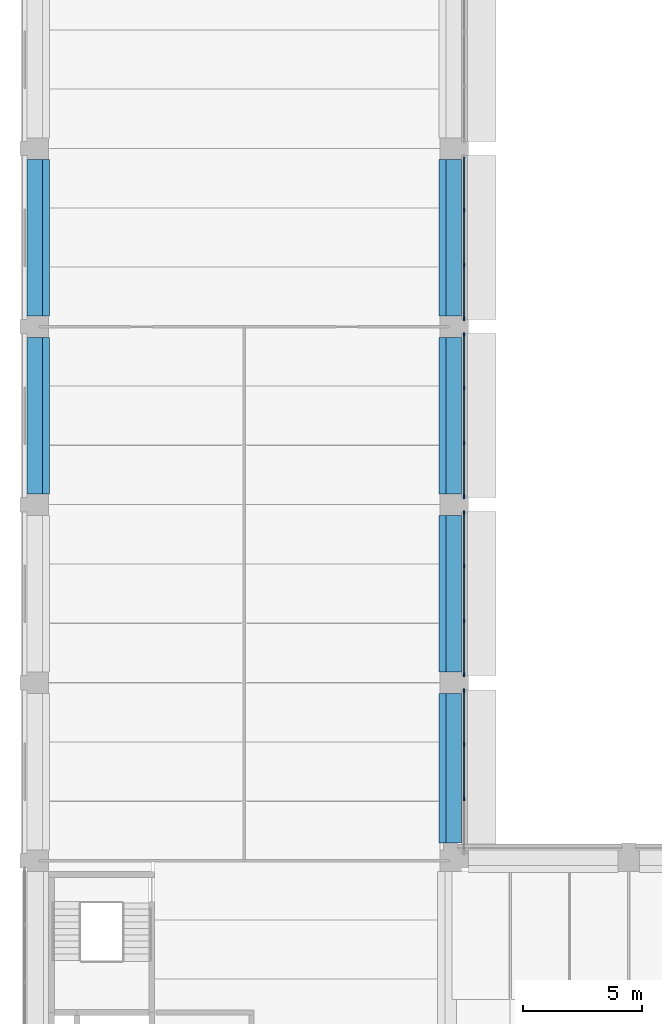
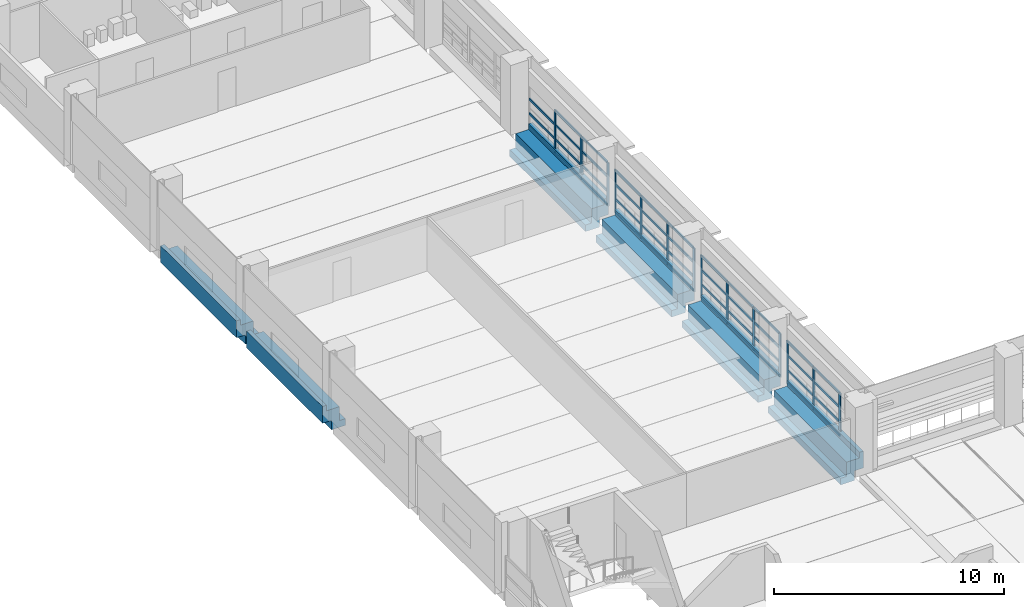
# One storey, part 9 of 57: 57 members, 6 beams, 4 elements without a shape of their own.
"""IFC4 building model written with IfcOpenShell, lengths in metres."""

from ifc_helpers import new_model, si_unit, direction, frame, origin, origin_2d, place, context, subcontext, project, spatial, polyline, rectangle, outline, extrude, material, layer, layer_set, material_profile, profile_set, type_object, element, aggregate, save


model = new_model("IFC4")

# Units and contexts
model_context = context("Model", 3, precision=1e-05, world=origin(), true_north=direction((0.0, 1.0)))
body_context = subcontext(model_context, "Body", "Model", "MODEL_VIEW")
ifc_project = project(units=[si_unit("LENGTHUNIT", "METRE"), si_unit("AREAUNIT", "SQUARE_METRE"), si_unit("VOLUMEUNIT", "CUBIC_METRE"), si_unit("PLANEANGLEUNIT", "RADIAN"), si_unit("MASSUNIT", "GRAM", prefix="KILO")], contexts=[model_context])

# Site, building, storey
site_placement = place(None, origin())
site = spatial("IfcSite", under=ifc_project, at=site_placement, CompositionType="ELEMENT")
building_placement = place(site_placement, origin())
building = spatial("IfcBuilding", under=site, at=building_placement, Name="Cour d'Honneur Mobility Palace", CompositionType="ELEMENT")
storey_placement = place(building_placement, frame((0.0, 0.0, 8.199951171875)))
storey = spatial("IfcBuildingStorey", under=building, at=storey_placement, Name="L02", CompositionType="ELEMENT", Elevation=8.199951171875)

# Curtain wall, members
ifc_material_1 = material(Name="Aluminium and glass", Category="aluminium")
ifc_layer = layer(ifc_material_1, 0.10009765625)
ifc_layer_set = layer_set([ifc_layer], Name="Aluminium and glass")
curtain_wall_type = type_object("IfcCurtainWallType", Name="Curtain wall run", PredefinedType="NOTDEFINED", material=ifc_layer_set)
curtain_wall_1_placement = place(storey_placement, origin())
curtain_wall_1 = element("IfcCurtainWall", 1, at=curtain_wall_1_placement, inside=storey, type_object=curtain_wall_type, Name="Curtain wall CW-23", PredefinedType="NOTDEFINED")
ifc_material_2 = material(Name="Aluminium", Category="aluminium")
ifc_material_profile_1 = material_profile(ifc_material_2, rectangle(XDim=0.06005859375, YDim=0.159912109375, at=origin_2d()), Name="Curtain wall mullion")
ifc_profile_set_1 = profile_set([ifc_material_profile_1], Name="Aluminium")
member_type_1 = type_object("IfcMemberType", Name="Curtain wall mullion", PredefinedType="MULLION", material=ifc_profile_set_1)
member_1_placement = place(storey_placement, frame((17.949951171875, 65.0, 0.0), z_axis=(0.0, 0.0, 1.0), x_axis=(-1.0, 0.0, 0.0)))
member_1 = element("IfcMember", 2, at=member_1_placement, type_object=member_type_1, Name="CW-23 mullion 2", PredefinedType="MULLION", context=body_context, shape_type="SweptSolid", body=[
    extrude(rectangle(XDim=0.06005859375, YDim=0.159912109375, at=origin_2d()), origin(), (0.0, 0.0, 1.0), 2.300048828125),
])
member_2_placement = place(storey_placement, frame((17.949951171875, 67.300048828125, 0.0), z_axis=(0.0, 0.0, 1.0), x_axis=(-1.0, 0.0, 0.0)))
member_2 = element("IfcMember", 3, at=member_2_placement, type_object=member_type_1, Name="CW-23 mullion 3", PredefinedType="MULLION", context=body_context, shape_type="SweptSolid", body=[
    extrude(rectangle(XDim=0.06005859375, YDim=0.159912109375, at=origin_2d()), origin(), (0.0, 0.0, 1.0), 2.300048828125),
])
member_3_placement = place(storey_placement, frame((17.949951171875, 69.570068359375, 0.0), z_axis=(0.0, 0.0, 1.0), x_axis=(-1.0, 0.0, 0.0)))
member_3 = element("IfcMember", 4, at=member_3_placement, type_object=member_type_1, Name="CW-23 mullion 4", PredefinedType="MULLION", context=body_context, shape_type="SweptSolid", body=[
    extrude(rectangle(XDim=0.06005859375, YDim=0.159912109375, at=origin_2d()), origin(), (0.0, 0.0, 1.0), 2.300048828125),
])

curtain_wall_2_placement = place(storey_placement, origin())
curtain_wall_2 = element("IfcCurtainWall", 5, at=curtain_wall_2_placement, inside=storey, type_object=curtain_wall_type, Name="Curtain wall CW-24", PredefinedType="NOTDEFINED")
member_4_placement = place(storey_placement, frame((17.949951171875, 70.22998046875, 0.0), z_axis=(0.0, 0.0, 1.0), x_axis=(-1.0, 0.0, 0.0)))
member_4 = element("IfcMember", 6, at=member_4_placement, type_object=member_type_1, Name="CW-24 mullion 1", PredefinedType="MULLION", context=body_context, shape_type="SweptSolid", body=[
    extrude(rectangle(XDim=0.06005859375, YDim=0.159912109375, at=origin_2d()), origin(), (0.0, 0.0, 1.0), 2.300048828125),
])
member_5_placement = place(storey_placement, frame((17.949951171875, 72.5, 0.0), z_axis=(0.0, 0.0, 1.0), x_axis=(-1.0, 0.0, 0.0)))
member_5 = element("IfcMember", 7, at=member_5_placement, type_object=member_type_1, Name="CW-24 mullion 2", PredefinedType="MULLION", context=body_context, shape_type="SweptSolid", body=[
    extrude(rectangle(XDim=0.06005859375, YDim=0.159912109375, at=origin_2d()), origin(), (0.0, 0.0, 1.0), 2.300048828125),
])
member_6_placement = place(storey_placement, frame((17.949951171875, 74.800048828125, 0.0), z_axis=(0.0, 0.0, 1.0), x_axis=(-1.0, 0.0, 0.0)))
member_6 = element("IfcMember", 8, at=member_6_placement, type_object=member_type_1, Name="CW-24 mullion 3", PredefinedType="MULLION", context=body_context, shape_type="SweptSolid", body=[
    extrude(rectangle(XDim=0.06005859375, YDim=0.159912109375, at=origin_2d()), origin(), (0.0, 0.0, 1.0), 2.300048828125),
])
member_7_placement = place(storey_placement, frame((17.949951171875, 77.070068359375, 0.0), z_axis=(0.0, 0.0, 1.0), x_axis=(-1.0, 0.0, 0.0)))
member_7 = element("IfcMember", 9, at=member_7_placement, type_object=member_type_1, Name="CW-24 mullion 4", PredefinedType="MULLION", context=body_context, shape_type="SweptSolid", body=[
    extrude(rectangle(XDim=0.06005859375, YDim=0.159912109375, at=origin_2d()), origin(), (0.0, 0.0, 1.0), 2.300048828125),
])

curtain_wall_3_placement = place(storey_placement, origin())
curtain_wall_3 = element("IfcCurtainWall", 10, at=curtain_wall_3_placement, inside=storey, type_object=curtain_wall_type, Name="Curtain wall CW-25", PredefinedType="NOTDEFINED")
member_8_placement = place(storey_placement, frame((17.949951171875, 77.72998046875, 0.0), z_axis=(0.0, 0.0, 1.0), x_axis=(-1.0, 0.0, 0.0)))
member_8 = element("IfcMember", 11, at=member_8_placement, type_object=member_type_1, Name="CW-25 mullion 1", PredefinedType="MULLION", context=body_context, shape_type="SweptSolid", body=[
    extrude(rectangle(XDim=0.06005859375, YDim=0.159912109375, at=origin_2d()), origin(), (0.0, 0.0, 1.0), 2.300048828125),
])
member_9_placement = place(storey_placement, frame((17.949951171875, 80.0, 0.0), z_axis=(0.0, 0.0, 1.0), x_axis=(-1.0, 0.0, 0.0)))
member_9 = element("IfcMember", 12, at=member_9_placement, type_object=member_type_1, Name="CW-25 mullion 2", PredefinedType="MULLION", context=body_context, shape_type="SweptSolid", body=[
    extrude(rectangle(XDim=0.06005859375, YDim=0.159912109375, at=origin_2d()), origin(), (0.0, 0.0, 1.0), 2.300048828125),
])
member_10_placement = place(storey_placement, frame((17.949951171875, 82.300048828125, 0.0), z_axis=(0.0, 0.0, 1.0), x_axis=(-1.0, 0.0, 0.0)))
member_10 = element("IfcMember", 13, at=member_10_placement, type_object=member_type_1, Name="CW-25 mullion 3", PredefinedType="MULLION", context=body_context, shape_type="SweptSolid", body=[
    extrude(rectangle(XDim=0.06005859375, YDim=0.159912109375, at=origin_2d()), origin(), (0.0, 0.0, 1.0), 2.300048828125),
])
member_11_placement = place(storey_placement, frame((17.949951171875, 84.570068359375, 0.0), z_axis=(0.0, 0.0, 1.0), x_axis=(-1.0, 0.0, 0.0)))
member_11 = element("IfcMember", 14, at=member_11_placement, type_object=member_type_1, Name="CW-25 mullion 4", PredefinedType="MULLION", context=body_context, shape_type="SweptSolid", body=[
    extrude(rectangle(XDim=0.06005859375, YDim=0.159912109375, at=origin_2d()), origin(), (0.0, 0.0, 1.0), 2.300048828125),
])

curtain_wall_4_placement = place(storey_placement, origin())
curtain_wall_4 = element("IfcCurtainWall", 15, at=curtain_wall_4_placement, inside=storey, type_object=curtain_wall_type, Name="Curtain wall CW-26", PredefinedType="NOTDEFINED")
member_12_placement = place(storey_placement, frame((17.949951171875, 85.22998046875, 0.0), z_axis=(0.0, 0.0, 1.0), x_axis=(-1.0, 0.0, 0.0)))
member_12 = element("IfcMember", 16, at=member_12_placement, type_object=member_type_1, Name="CW-26 mullion 1", PredefinedType="MULLION", context=body_context, shape_type="SweptSolid", body=[
    extrude(rectangle(XDim=0.06005859375, YDim=0.159912109375, at=origin_2d()), origin(), (0.0, 0.0, 1.0), 2.300048828125),
])
member_13_placement = place(storey_placement, frame((17.949951171875, 87.5, 0.0), z_axis=(0.0, 0.0, 1.0), x_axis=(-1.0, 0.0, 0.0)))
member_13 = element("IfcMember", 17, at=member_13_placement, type_object=member_type_1, Name="CW-26 mullion 2", PredefinedType="MULLION", context=body_context, shape_type="SweptSolid", body=[
    extrude(rectangle(XDim=0.06005859375, YDim=0.159912109375, at=origin_2d()), origin(), (0.0, 0.0, 1.0), 2.300048828125),
])
member_14_placement = place(storey_placement, frame((17.949951171875, 89.800048828125, 0.0), z_axis=(0.0, 0.0, 1.0), x_axis=(-1.0, 0.0, 0.0)))
member_14 = element("IfcMember", 18, at=member_14_placement, type_object=member_type_1, Name="CW-26 mullion 3", PredefinedType="MULLION", context=body_context, shape_type="SweptSolid", body=[
    extrude(rectangle(XDim=0.06005859375, YDim=0.159912109375, at=origin_2d()), origin(), (0.0, 0.0, 1.0), 2.300048828125),
])

# Member
ifc_material_3 = material(Name="Aluminium", Category="aluminium")
ifc_material_profile_2 = material_profile(ifc_material_3, rectangle(XDim=0.06005859375, YDim=0.1201171875, at=origin_2d()), Name="Curtain wall transom")
ifc_profile_set_2 = profile_set([ifc_material_profile_2], Name="Aluminium")
member_type_2 = type_object("IfcMemberType", Name="Curtain wall transom", PredefinedType="USERDEFINED", material=ifc_profile_set_2)
member_15_placement = place(storey_placement, frame((17.949951171875, 65.030029296875, 0.030029296875), z_axis=(0.0, 1.0, 0.0), x_axis=(-1.0, 0.0, 0.0)))
member_15 = element("IfcMember", 19, at=member_15_placement, type_object=member_type_2, Name="CW-23 transom 2.1", ObjectType="TRANSOM", PredefinedType="USERDEFINED", context=body_context, shape_type="SweptSolid", body=[
    extrude(rectangle(XDim=0.06005859375, YDim=0.1201171875, at=origin_2d()), origin(), (0.0, 0.0, 1.0), 2.239990234375),
])

member_16_placement = place(storey_placement, frame((17.949951171875, 65.030029296875, 0.7666015625), z_axis=(0.0, 1.0, 0.0), x_axis=(-1.0, 0.0, 0.0)))
member_16 = element("IfcMember", 20, at=member_16_placement, type_object=member_type_2, Name="CW-23 transom 2.2", ObjectType="TRANSOM", PredefinedType="USERDEFINED", context=body_context, shape_type="SweptSolid", body=[
    extrude(rectangle(XDim=0.06005859375, YDim=0.1201171875, at=origin_2d()), origin(), (0.0, 0.0, 1.0), 2.239990234375),
])

member_17_placement = place(storey_placement, frame((17.949951171875, 65.030029296875, 1.533447265625), z_axis=(0.0, 1.0, 0.0), x_axis=(-1.0, 0.0, 0.0)))
member_17 = element("IfcMember", 21, at=member_17_placement, type_object=member_type_2, Name="CW-23 transom 2.3", ObjectType="TRANSOM", PredefinedType="USERDEFINED", context=body_context, shape_type="SweptSolid", body=[
    extrude(rectangle(XDim=0.06005859375, YDim=0.1201171875, at=origin_2d()), origin(), (0.0, 0.0, 1.0), 2.239990234375),
])

member_18_placement = place(storey_placement, frame((17.949951171875, 65.030029296875, 2.27001953125), z_axis=(0.0, 1.0, 0.0), x_axis=(-1.0, 0.0, 0.0)))
member_18 = element("IfcMember", 22, at=member_18_placement, type_object=member_type_2, Name="CW-23 transom 2.4", ObjectType="TRANSOM", PredefinedType="USERDEFINED", context=body_context, shape_type="SweptSolid", body=[
    extrude(rectangle(XDim=0.06005859375, YDim=0.1201171875, at=origin_2d()), origin(), (0.0, 0.0, 1.0), 2.239990234375),
])

member_19_placement = place(storey_placement, frame((17.949951171875, 67.330078125, 0.030029296875), z_axis=(0.0, 1.0, 0.0), x_axis=(-1.0, 0.0, 0.0)))
member_19 = element("IfcMember", 23, at=member_19_placement, type_object=member_type_2, Name="CW-23 transom 3.1", ObjectType="TRANSOM", PredefinedType="USERDEFINED", context=body_context, shape_type="SweptSolid", body=[
    extrude(rectangle(XDim=0.06005859375, YDim=0.1201171875, at=origin_2d()), origin(), (0.0, 0.0, 1.0), 2.2099609375),
])

member_20_placement = place(storey_placement, frame((17.949951171875, 67.330078125, 0.7666015625), z_axis=(0.0, 1.0, 0.0), x_axis=(-1.0, 0.0, 0.0)))
member_20 = element("IfcMember", 24, at=member_20_placement, type_object=member_type_2, Name="CW-23 transom 3.2", ObjectType="TRANSOM", PredefinedType="USERDEFINED", context=body_context, shape_type="SweptSolid", body=[
    extrude(rectangle(XDim=0.06005859375, YDim=0.1201171875, at=origin_2d()), origin(), (0.0, 0.0, 1.0), 2.2099609375),
])

member_21_placement = place(storey_placement, frame((17.949951171875, 67.330078125, 1.533447265625), z_axis=(0.0, 1.0, 0.0), x_axis=(-1.0, 0.0, 0.0)))
member_21 = element("IfcMember", 25, at=member_21_placement, type_object=member_type_2, Name="CW-23 transom 3.3", ObjectType="TRANSOM", PredefinedType="USERDEFINED", context=body_context, shape_type="SweptSolid", body=[
    extrude(rectangle(XDim=0.06005859375, YDim=0.1201171875, at=origin_2d()), origin(), (0.0, 0.0, 1.0), 2.2099609375),
])

member_22_placement = place(storey_placement, frame((17.949951171875, 67.330078125, 2.27001953125), z_axis=(0.0, 1.0, 0.0), x_axis=(-1.0, 0.0, 0.0)))
member_22 = element("IfcMember", 26, at=member_22_placement, type_object=member_type_2, Name="CW-23 transom 3.4", ObjectType="TRANSOM", PredefinedType="USERDEFINED", context=body_context, shape_type="SweptSolid", body=[
    extrude(rectangle(XDim=0.06005859375, YDim=0.1201171875, at=origin_2d()), origin(), (0.0, 0.0, 1.0), 2.2099609375),
])

aggregate(curtain_wall_1, [member_1, member_2, member_3, member_15, member_16, member_17, member_18, member_19, member_20, member_21, member_22])

member_23_placement = place(storey_placement, frame((17.949951171875, 70.260009765625, 0.030029296875), z_axis=(0.0, 1.0, 0.0), x_axis=(-1.0, 0.0, 0.0)))
member_23 = element("IfcMember", 27, at=member_23_placement, type_object=member_type_2, Name="CW-24 transom 1.1", ObjectType="TRANSOM", PredefinedType="USERDEFINED", context=body_context, shape_type="SweptSolid", body=[
    extrude(rectangle(XDim=0.06005859375, YDim=0.1201171875, at=origin_2d()), origin(), (0.0, 0.0, 1.0), 2.2099609375),
])

member_24_placement = place(storey_placement, frame((17.949951171875, 70.260009765625, 0.7666015625), z_axis=(0.0, 1.0, 0.0), x_axis=(-1.0, 0.0, 0.0)))
member_24 = element("IfcMember", 28, at=member_24_placement, type_object=member_type_2, Name="CW-24 transom 1.2", ObjectType="TRANSOM", PredefinedType="USERDEFINED", context=body_context, shape_type="SweptSolid", body=[
    extrude(rectangle(XDim=0.06005859375, YDim=0.1201171875, at=origin_2d()), origin(), (0.0, 0.0, 1.0), 2.2099609375),
])

member_25_placement = place(storey_placement, frame((17.949951171875, 70.260009765625, 1.533447265625), z_axis=(0.0, 1.0, 0.0), x_axis=(-1.0, 0.0, 0.0)))
member_25 = element("IfcMember", 29, at=member_25_placement, type_object=member_type_2, Name="CW-24 transom 1.3", ObjectType="TRANSOM", PredefinedType="USERDEFINED", context=body_context, shape_type="SweptSolid", body=[
    extrude(rectangle(XDim=0.06005859375, YDim=0.1201171875, at=origin_2d()), origin(), (0.0, 0.0, 1.0), 2.2099609375),
])

member_26_placement = place(storey_placement, frame((17.949951171875, 70.260009765625, 2.27001953125), z_axis=(0.0, 1.0, 0.0), x_axis=(-1.0, 0.0, 0.0)))
member_26 = element("IfcMember", 30, at=member_26_placement, type_object=member_type_2, Name="CW-24 transom 1.4", ObjectType="TRANSOM", PredefinedType="USERDEFINED", context=body_context, shape_type="SweptSolid", body=[
    extrude(rectangle(XDim=0.06005859375, YDim=0.1201171875, at=origin_2d()), origin(), (0.0, 0.0, 1.0), 2.2099609375),
])

member_27_placement = place(storey_placement, frame((17.949951171875, 72.530029296875, 0.030029296875), z_axis=(0.0, 1.0, 0.0), x_axis=(-1.0, 0.0, 0.0)))
member_27 = element("IfcMember", 31, at=member_27_placement, type_object=member_type_2, Name="CW-24 transom 2.1", ObjectType="TRANSOM", PredefinedType="USERDEFINED", context=body_context, shape_type="SweptSolid", body=[
    extrude(rectangle(XDim=0.06005859375, YDim=0.1201171875, at=origin_2d()), origin(), (0.0, 0.0, 1.0), 2.239990234375),
])

member_28_placement = place(storey_placement, frame((17.949951171875, 72.530029296875, 0.7666015625), z_axis=(0.0, 1.0, 0.0), x_axis=(-1.0, 0.0, 0.0)))
member_28 = element("IfcMember", 32, at=member_28_placement, type_object=member_type_2, Name="CW-24 transom 2.2", ObjectType="TRANSOM", PredefinedType="USERDEFINED", context=body_context, shape_type="SweptSolid", body=[
    extrude(rectangle(XDim=0.06005859375, YDim=0.1201171875, at=origin_2d()), origin(), (0.0, 0.0, 1.0), 2.239990234375),
])

member_29_placement = place(storey_placement, frame((17.949951171875, 72.530029296875, 1.533447265625), z_axis=(0.0, 1.0, 0.0), x_axis=(-1.0, 0.0, 0.0)))
member_29 = element("IfcMember", 33, at=member_29_placement, type_object=member_type_2, Name="CW-24 transom 2.3", ObjectType="TRANSOM", PredefinedType="USERDEFINED", context=body_context, shape_type="SweptSolid", body=[
    extrude(rectangle(XDim=0.06005859375, YDim=0.1201171875, at=origin_2d()), origin(), (0.0, 0.0, 1.0), 2.239990234375),
])

member_30_placement = place(storey_placement, frame((17.949951171875, 72.530029296875, 2.27001953125), z_axis=(0.0, 1.0, 0.0), x_axis=(-1.0, 0.0, 0.0)))
member_30 = element("IfcMember", 34, at=member_30_placement, type_object=member_type_2, Name="CW-24 transom 2.4", ObjectType="TRANSOM", PredefinedType="USERDEFINED", context=body_context, shape_type="SweptSolid", body=[
    extrude(rectangle(XDim=0.06005859375, YDim=0.1201171875, at=origin_2d()), origin(), (0.0, 0.0, 1.0), 2.239990234375),
])

member_31_placement = place(storey_placement, frame((17.949951171875, 74.830078125, 0.030029296875), z_axis=(0.0, 1.0, 0.0), x_axis=(-1.0, 0.0, 0.0)))
member_31 = element("IfcMember", 35, at=member_31_placement, type_object=member_type_2, Name="CW-24 transom 3.1", ObjectType="TRANSOM", PredefinedType="USERDEFINED", context=body_context, shape_type="SweptSolid", body=[
    extrude(rectangle(XDim=0.06005859375, YDim=0.1201171875, at=origin_2d()), origin(), (0.0, 0.0, 1.0), 2.2099609375),
])

member_32_placement = place(storey_placement, frame((17.949951171875, 74.830078125, 0.7666015625), z_axis=(0.0, 1.0, 0.0), x_axis=(-1.0, 0.0, 0.0)))
member_32 = element("IfcMember", 36, at=member_32_placement, type_object=member_type_2, Name="CW-24 transom 3.2", ObjectType="TRANSOM", PredefinedType="USERDEFINED", context=body_context, shape_type="SweptSolid", body=[
    extrude(rectangle(XDim=0.06005859375, YDim=0.1201171875, at=origin_2d()), origin(), (0.0, 0.0, 1.0), 2.2099609375),
])

member_33_placement = place(storey_placement, frame((17.949951171875, 74.830078125, 1.533447265625), z_axis=(0.0, 1.0, 0.0), x_axis=(-1.0, 0.0, 0.0)))
member_33 = element("IfcMember", 37, at=member_33_placement, type_object=member_type_2, Name="CW-24 transom 3.3", ObjectType="TRANSOM", PredefinedType="USERDEFINED", context=body_context, shape_type="SweptSolid", body=[
    extrude(rectangle(XDim=0.06005859375, YDim=0.1201171875, at=origin_2d()), origin(), (0.0, 0.0, 1.0), 2.2099609375),
])

member_34_placement = place(storey_placement, frame((17.949951171875, 74.830078125, 2.27001953125), z_axis=(0.0, 1.0, 0.0), x_axis=(-1.0, 0.0, 0.0)))
member_34 = element("IfcMember", 38, at=member_34_placement, type_object=member_type_2, Name="CW-24 transom 3.4", ObjectType="TRANSOM", PredefinedType="USERDEFINED", context=body_context, shape_type="SweptSolid", body=[
    extrude(rectangle(XDim=0.06005859375, YDim=0.1201171875, at=origin_2d()), origin(), (0.0, 0.0, 1.0), 2.2099609375),
])

aggregate(curtain_wall_2, [member_4, member_5, member_6, member_7, member_23, member_24, member_25, member_26, member_27, member_28, member_29, member_30, member_31, member_32, member_33, member_34])

member_35_placement = place(storey_placement, frame((17.949951171875, 77.760009765625, 0.030029296875), z_axis=(0.0, 1.0, 0.0), x_axis=(-1.0, 0.0, 0.0)))
member_35 = element("IfcMember", 39, at=member_35_placement, type_object=member_type_2, Name="CW-25 transom 1.1", ObjectType="TRANSOM", PredefinedType="USERDEFINED", context=body_context, shape_type="SweptSolid", body=[
    extrude(rectangle(XDim=0.06005859375, YDim=0.1201171875, at=origin_2d()), origin(), (0.0, 0.0, 1.0), 2.2099609375),
])

member_36_placement = place(storey_placement, frame((17.949951171875, 77.760009765625, 0.7666015625), z_axis=(0.0, 1.0, 0.0), x_axis=(-1.0, 0.0, 0.0)))
member_36 = element("IfcMember", 40, at=member_36_placement, type_object=member_type_2, Name="CW-25 transom 1.2", ObjectType="TRANSOM", PredefinedType="USERDEFINED", context=body_context, shape_type="SweptSolid", body=[
    extrude(rectangle(XDim=0.06005859375, YDim=0.1201171875, at=origin_2d()), origin(), (0.0, 0.0, 1.0), 2.2099609375),
])

member_37_placement = place(storey_placement, frame((17.949951171875, 77.760009765625, 1.533447265625), z_axis=(0.0, 1.0, 0.0), x_axis=(-1.0, 0.0, 0.0)))
member_37 = element("IfcMember", 41, at=member_37_placement, type_object=member_type_2, Name="CW-25 transom 1.3", ObjectType="TRANSOM", PredefinedType="USERDEFINED", context=body_context, shape_type="SweptSolid", body=[
    extrude(rectangle(XDim=0.06005859375, YDim=0.1201171875, at=origin_2d()), origin(), (0.0, 0.0, 1.0), 2.2099609375),
])

member_38_placement = place(storey_placement, frame((17.949951171875, 77.760009765625, 2.27001953125), z_axis=(0.0, 1.0, 0.0), x_axis=(-1.0, 0.0, 0.0)))
member_38 = element("IfcMember", 42, at=member_38_placement, type_object=member_type_2, Name="CW-25 transom 1.4", ObjectType="TRANSOM", PredefinedType="USERDEFINED", context=body_context, shape_type="SweptSolid", body=[
    extrude(rectangle(XDim=0.06005859375, YDim=0.1201171875, at=origin_2d()), origin(), (0.0, 0.0, 1.0), 2.2099609375),
])

member_39_placement = place(storey_placement, frame((17.949951171875, 80.030029296875, 0.030029296875), z_axis=(0.0, 1.0, 0.0), x_axis=(-1.0, 0.0, 0.0)))
member_39 = element("IfcMember", 43, at=member_39_placement, type_object=member_type_2, Name="CW-25 transom 2.1", ObjectType="TRANSOM", PredefinedType="USERDEFINED", context=body_context, shape_type="SweptSolid", body=[
    extrude(rectangle(XDim=0.06005859375, YDim=0.1201171875, at=origin_2d()), origin(), (0.0, 0.0, 1.0), 2.239990234375),
])

member_40_placement = place(storey_placement, frame((17.949951171875, 80.030029296875, 0.7666015625), z_axis=(0.0, 1.0, 0.0), x_axis=(-1.0, 0.0, 0.0)))
member_40 = element("IfcMember", 44, at=member_40_placement, type_object=member_type_2, Name="CW-25 transom 2.2", ObjectType="TRANSOM", PredefinedType="USERDEFINED", context=body_context, shape_type="SweptSolid", body=[
    extrude(rectangle(XDim=0.06005859375, YDim=0.1201171875, at=origin_2d()), origin(), (0.0, 0.0, 1.0), 2.239990234375),
])

member_41_placement = place(storey_placement, frame((17.949951171875, 80.030029296875, 1.533447265625), z_axis=(0.0, 1.0, 0.0), x_axis=(-1.0, 0.0, 0.0)))
member_41 = element("IfcMember", 45, at=member_41_placement, type_object=member_type_2, Name="CW-25 transom 2.3", ObjectType="TRANSOM", PredefinedType="USERDEFINED", context=body_context, shape_type="SweptSolid", body=[
    extrude(rectangle(XDim=0.06005859375, YDim=0.1201171875, at=origin_2d()), origin(), (0.0, 0.0, 1.0), 2.239990234375),
])

member_42_placement = place(storey_placement, frame((17.949951171875, 80.030029296875, 2.27001953125), z_axis=(0.0, 1.0, 0.0), x_axis=(-1.0, 0.0, 0.0)))
member_42 = element("IfcMember", 46, at=member_42_placement, type_object=member_type_2, Name="CW-25 transom 2.4", ObjectType="TRANSOM", PredefinedType="USERDEFINED", context=body_context, shape_type="SweptSolid", body=[
    extrude(rectangle(XDim=0.06005859375, YDim=0.1201171875, at=origin_2d()), origin(), (0.0, 0.0, 1.0), 2.239990234375),
])

member_43_placement = place(storey_placement, frame((17.949951171875, 82.330078125, 0.030029296875), z_axis=(0.0, 1.0, 0.0), x_axis=(-1.0, 0.0, 0.0)))
member_43 = element("IfcMember", 47, at=member_43_placement, type_object=member_type_2, Name="CW-25 transom 3.1", ObjectType="TRANSOM", PredefinedType="USERDEFINED", context=body_context, shape_type="SweptSolid", body=[
    extrude(rectangle(XDim=0.06005859375, YDim=0.1201171875, at=origin_2d()), origin(), (0.0, 0.0, 1.0), 2.2099609375),
])

member_44_placement = place(storey_placement, frame((17.949951171875, 82.330078125, 0.7666015625), z_axis=(0.0, 1.0, 0.0), x_axis=(-1.0, 0.0, 0.0)))
member_44 = element("IfcMember", 48, at=member_44_placement, type_object=member_type_2, Name="CW-25 transom 3.2", ObjectType="TRANSOM", PredefinedType="USERDEFINED", context=body_context, shape_type="SweptSolid", body=[
    extrude(rectangle(XDim=0.06005859375, YDim=0.1201171875, at=origin_2d()), origin(), (0.0, 0.0, 1.0), 2.2099609375),
])

member_45_placement = place(storey_placement, frame((17.949951171875, 82.330078125, 1.533447265625), z_axis=(0.0, 1.0, 0.0), x_axis=(-1.0, 0.0, 0.0)))
member_45 = element("IfcMember", 49, at=member_45_placement, type_object=member_type_2, Name="CW-25 transom 3.3", ObjectType="TRANSOM", PredefinedType="USERDEFINED", context=body_context, shape_type="SweptSolid", body=[
    extrude(rectangle(XDim=0.06005859375, YDim=0.1201171875, at=origin_2d()), origin(), (0.0, 0.0, 1.0), 2.2099609375),
])

member_46_placement = place(storey_placement, frame((17.949951171875, 82.330078125, 2.27001953125), z_axis=(0.0, 1.0, 0.0), x_axis=(-1.0, 0.0, 0.0)))
member_46 = element("IfcMember", 50, at=member_46_placement, type_object=member_type_2, Name="CW-25 transom 3.4", ObjectType="TRANSOM", PredefinedType="USERDEFINED", context=body_context, shape_type="SweptSolid", body=[
    extrude(rectangle(XDim=0.06005859375, YDim=0.1201171875, at=origin_2d()), origin(), (0.0, 0.0, 1.0), 2.2099609375),
])

aggregate(curtain_wall_3, [member_8, member_9, member_10, member_11, member_35, member_36, member_37, member_38, member_39, member_40, member_41, member_42, member_43, member_44, member_45, member_46])

member_47_placement = place(storey_placement, frame((17.949951171875, 85.260009765625, 0.030029296875), z_axis=(0.0, 1.0, 0.0), x_axis=(-1.0, 0.0, 0.0)))
member_47 = element("IfcMember", 51, at=member_47_placement, type_object=member_type_2, Name="CW-26 transom 1.1", ObjectType="TRANSOM", PredefinedType="USERDEFINED", context=body_context, shape_type="SweptSolid", body=[
    extrude(rectangle(XDim=0.06005859375, YDim=0.1201171875, at=origin_2d()), origin(), (0.0, 0.0, 1.0), 2.2099609375),
])

member_48_placement = place(storey_placement, frame((17.949951171875, 85.260009765625, 0.7666015625), z_axis=(0.0, 1.0, 0.0), x_axis=(-1.0, 0.0, 0.0)))
member_48 = element("IfcMember", 52, at=member_48_placement, type_object=member_type_2, Name="CW-26 transom 1.2", ObjectType="TRANSOM", PredefinedType="USERDEFINED", context=body_context, shape_type="SweptSolid", body=[
    extrude(rectangle(XDim=0.06005859375, YDim=0.1201171875, at=origin_2d()), origin(), (0.0, 0.0, 1.0), 2.2099609375),
])

member_49_placement = place(storey_placement, frame((17.949951171875, 85.260009765625, 1.533447265625), z_axis=(0.0, 1.0, 0.0), x_axis=(-1.0, 0.0, 0.0)))
member_49 = element("IfcMember", 53, at=member_49_placement, type_object=member_type_2, Name="CW-26 transom 1.3", ObjectType="TRANSOM", PredefinedType="USERDEFINED", context=body_context, shape_type="SweptSolid", body=[
    extrude(rectangle(XDim=0.06005859375, YDim=0.1201171875, at=origin_2d()), origin(), (0.0, 0.0, 1.0), 2.2099609375),
])

member_50_placement = place(storey_placement, frame((17.949951171875, 85.260009765625, 2.27001953125), z_axis=(0.0, 1.0, 0.0), x_axis=(-1.0, 0.0, 0.0)))
member_50 = element("IfcMember", 54, at=member_50_placement, type_object=member_type_2, Name="CW-26 transom 1.4", ObjectType="TRANSOM", PredefinedType="USERDEFINED", context=body_context, shape_type="SweptSolid", body=[
    extrude(rectangle(XDim=0.06005859375, YDim=0.1201171875, at=origin_2d()), origin(), (0.0, 0.0, 1.0), 2.2099609375),
])

member_51_placement = place(storey_placement, frame((17.949951171875, 87.530029296875, 0.030029296875), z_axis=(0.0, 1.0, 0.0), x_axis=(-1.0, 0.0, 0.0)))
member_51 = element("IfcMember", 55, at=member_51_placement, type_object=member_type_2, Name="CW-26 transom 2.1", ObjectType="TRANSOM", PredefinedType="USERDEFINED", context=body_context, shape_type="SweptSolid", body=[
    extrude(rectangle(XDim=0.06005859375, YDim=0.1201171875, at=origin_2d()), origin(), (0.0, 0.0, 1.0), 2.239990234375),
])

member_52_placement = place(storey_placement, frame((17.949951171875, 87.530029296875, 0.7666015625), z_axis=(0.0, 1.0, 0.0), x_axis=(-1.0, 0.0, 0.0)))
member_52 = element("IfcMember", 56, at=member_52_placement, type_object=member_type_2, Name="CW-26 transom 2.2", ObjectType="TRANSOM", PredefinedType="USERDEFINED", context=body_context, shape_type="SweptSolid", body=[
    extrude(rectangle(XDim=0.06005859375, YDim=0.1201171875, at=origin_2d()), origin(), (0.0, 0.0, 1.0), 2.239990234375),
])

member_53_placement = place(storey_placement, frame((17.949951171875, 87.530029296875, 1.533447265625), z_axis=(0.0, 1.0, 0.0), x_axis=(-1.0, 0.0, 0.0)))
member_53 = element("IfcMember", 57, at=member_53_placement, type_object=member_type_2, Name="CW-26 transom 2.3", ObjectType="TRANSOM", PredefinedType="USERDEFINED", context=body_context, shape_type="SweptSolid", body=[
    extrude(rectangle(XDim=0.06005859375, YDim=0.1201171875, at=origin_2d()), origin(), (0.0, 0.0, 1.0), 2.239990234375),
])

member_54_placement = place(storey_placement, frame((17.949951171875, 87.530029296875, 2.27001953125), z_axis=(0.0, 1.0, 0.0), x_axis=(-1.0, 0.0, 0.0)))
member_54 = element("IfcMember", 58, at=member_54_placement, type_object=member_type_2, Name="CW-26 transom 2.4", ObjectType="TRANSOM", PredefinedType="USERDEFINED", context=body_context, shape_type="SweptSolid", body=[
    extrude(rectangle(XDim=0.06005859375, YDim=0.1201171875, at=origin_2d()), origin(), (0.0, 0.0, 1.0), 2.239990234375),
])

member_55_placement = place(storey_placement, frame((17.949951171875, 89.830078125, 0.030029296875), z_axis=(0.0, 1.0, 0.0), x_axis=(-1.0, 0.0, 0.0)))
member_55 = element("IfcMember", 59, at=member_55_placement, type_object=member_type_2, Name="CW-26 transom 3.1", ObjectType="TRANSOM", PredefinedType="USERDEFINED", context=body_context, shape_type="SweptSolid", body=[
    extrude(rectangle(XDim=0.06005859375, YDim=0.1201171875, at=origin_2d()), origin(), (0.0, 0.0, 1.0), 2.2099609375),
])

member_56_placement = place(storey_placement, frame((17.949951171875, 89.830078125, 0.7666015625), z_axis=(0.0, 1.0, 0.0), x_axis=(-1.0, 0.0, 0.0)))
member_56 = element("IfcMember", 60, at=member_56_placement, type_object=member_type_2, Name="CW-26 transom 3.2", ObjectType="TRANSOM", PredefinedType="USERDEFINED", context=body_context, shape_type="SweptSolid", body=[
    extrude(rectangle(XDim=0.06005859375, YDim=0.1201171875, at=origin_2d()), origin(), (0.0, 0.0, 1.0), 2.2099609375),
])

member_57_placement = place(storey_placement, frame((17.949951171875, 89.830078125, 1.533447265625), z_axis=(0.0, 1.0, 0.0), x_axis=(-1.0, 0.0, 0.0)))
member_57 = element("IfcMember", 61, at=member_57_placement, type_object=member_type_2, Name="CW-26 transom 3.3", ObjectType="TRANSOM", PredefinedType="USERDEFINED", context=body_context, shape_type="SweptSolid", body=[
    extrude(rectangle(XDim=0.06005859375, YDim=0.1201171875, at=origin_2d()), origin(), (0.0, 0.0, 1.0), 2.2099609375),
])

aggregate(curtain_wall_4, [member_12, member_13, member_14, member_47, member_48, member_49, member_50, member_51, member_52, member_53, member_54, member_55, member_56, member_57])

# Beams
ifc_material_4 = material(Name="Concrete C45", Category="concrete")
ifc_material_profile_3 = material_profile(ifc_material_4, outline(polyline([(0.5, -1.10009765625), (0.5, -0.75), (0.199951171875, -0.75), (0.199951171875, 0.0), (-0.199951171875, 0.0), (-0.449951171875, 0.0), (-0.449951171875, 0.300048828125), (-0.64990234375, 0.300048828125), (-0.64990234375, -0.60009765625), (-0.199951171875, -0.60009765625), (-0.199951171875, -1.10009765625), (0.5, -1.10009765625)])), Name="Ledger Beam 400x1100 ledge left 350 facade right")
ifc_profile_set_3 = profile_set([ifc_material_profile_3], Name="Concrete C45")
beam_type_1 = type_object("IfcBeamType", Name="Ledger Beam 400x1100 ledge left 350 facade right", PredefinedType="BEAM", material=ifc_profile_set_3)
beam_placement = place(storey_placement, frame((17.39990234375, 63.14990234375, 0.0), z_axis=(0.0, 1.0, 0.0), x_axis=(-1.0, 0.0, 0.0)))
element("IfcBeam", 62, at=beam_placement, inside=storey, type_object=beam_type_1, Name="Precast beam B2 H-J L02", PredefinedType="BEAM", context=body_context, shape_type="SweptSolid", body=[
    extrude(outline(polyline([(0.5, -1.10009765625), (0.5, -0.75), (0.199951171875, -0.75), (0.199951171875, 0.0), (-0.199951171875, 0.0), (-0.449951171875, 0.0), (-0.449951171875, 0.300048828125), (-0.64990234375, 0.300048828125), (-0.64990234375, -0.60009765625), (-0.199951171875, -0.60009765625), (-0.199951171875, -1.10009765625), (0.5, -1.10009765625)])), origin(), (0.0, 0.0, 1.0), 6.300048828125),
])
for number, where, z_axis, x_axis, name in (
    (63, (17.39990234375, 70.35009765625, 0.0), (0.0, 1.0, 0.0), (-1.0, 0.0, 0.0), "Precast beam B2 J-K L02"),
    (64, (17.39990234375, 77.85009765625, 0.0), (0.0, 1.0, 0.0), (-1.0, 0.0, 0.0), "Precast beam B2 K-L L02"),
    (65, (17.39990234375, 85.35009765625, 0.0), (0.0, 1.0, 0.0), (-1.0, 0.0, 0.0), "Precast beam B2 L-M L02"),
):
    element("IfcBeam", number, at=place(storey_placement, frame(where, z_axis=z_axis, x_axis=x_axis)), inside=storey, type_object=beam_type_1, Name=name, PredefinedType="BEAM", context=body_context, shape_type="SweptSolid", body=[
        extrude(outline(polyline([(0.5, -1.10009765625), (0.5, -0.75), (0.199951171875, -0.75), (0.199951171875, 0.0), (-0.199951171875, 0.0), (-0.449951171875, 0.0), (-0.449951171875, 0.300048828125), (-0.64990234375, 0.300048828125), (-0.64990234375, -0.60009765625), (-0.199951171875, -0.60009765625), (-0.199951171875, -1.10009765625), (0.5, -1.10009765625)])), origin(), (0.0, 0.0, 1.0), 6.599853515625),
    ])
ifc_material_5 = material(Name="Concrete C45", Category="concrete")
ifc_material_profile_4 = material_profile(ifc_material_5, outline(polyline([(0.199951171875, -1.10009765625), (0.199951171875, -0.60009765625), (0.64990234375, -0.60009765625), (0.64990234375, 0.300048828125), (0.449951171875, 0.300048828125), (0.449951171875, 0.0), (0.199951171875, 0.0), (-0.199951171875, 0.0), (-0.199951171875, -0.75), (-0.5, -0.75), (-0.5, -1.10009765625), (0.199951171875, -1.10009765625)])), Name="Ledger Beam 400x1100 ledge right 350 facade left")
ifc_profile_set_4 = profile_set([ifc_material_profile_4], Name="Concrete C45")
beam_type_2 = type_object("IfcBeamType", Name="Ledger Beam 400x1100 ledge right 350 facade left", PredefinedType="BEAM", material=ifc_profile_set_4)
for number, where, z_axis, x_axis, name in (
    (66, (0.0, 77.85009765625, 0.0), (0.0, 1.0, 0.0), (-1.0, 0.0, 0.0), "Precast beam B4 K-L L02"),
    (67, (0.0, 85.35009765625, 0.0), (0.0, 1.0, 0.0), (-1.0, 0.0, 0.0), "Precast beam B4 L-M L02"),
):
    element("IfcBeam", number, at=place(storey_placement, frame(where, z_axis=z_axis, x_axis=x_axis)), inside=storey, type_object=beam_type_2, Name=name, PredefinedType="BEAM", context=body_context, shape_type="SweptSolid", body=[
        extrude(outline(polyline([(0.199951171875, -1.10009765625), (0.199951171875, -0.60009765625), (0.64990234375, -0.60009765625), (0.64990234375, 0.300048828125), (0.449951171875, 0.300048828125), (0.449951171875, 0.0), (0.199951171875, 0.0), (-0.199951171875, 0.0), (-0.199951171875, -0.75), (-0.5, -0.75), (-0.5, -1.10009765625), (0.199951171875, -1.10009765625)])), origin(), (0.0, 0.0, 1.0), 6.599853515625),
    ])

save(model, "model.ifc")
